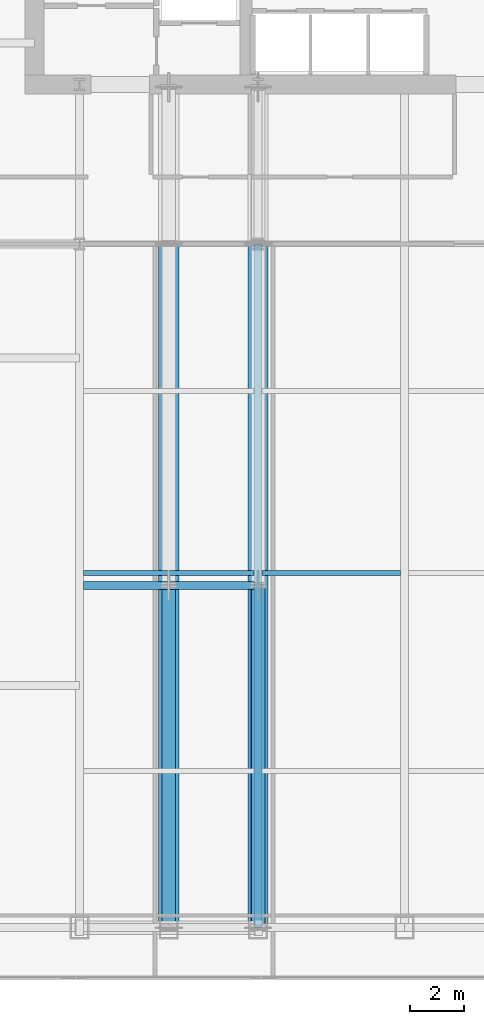
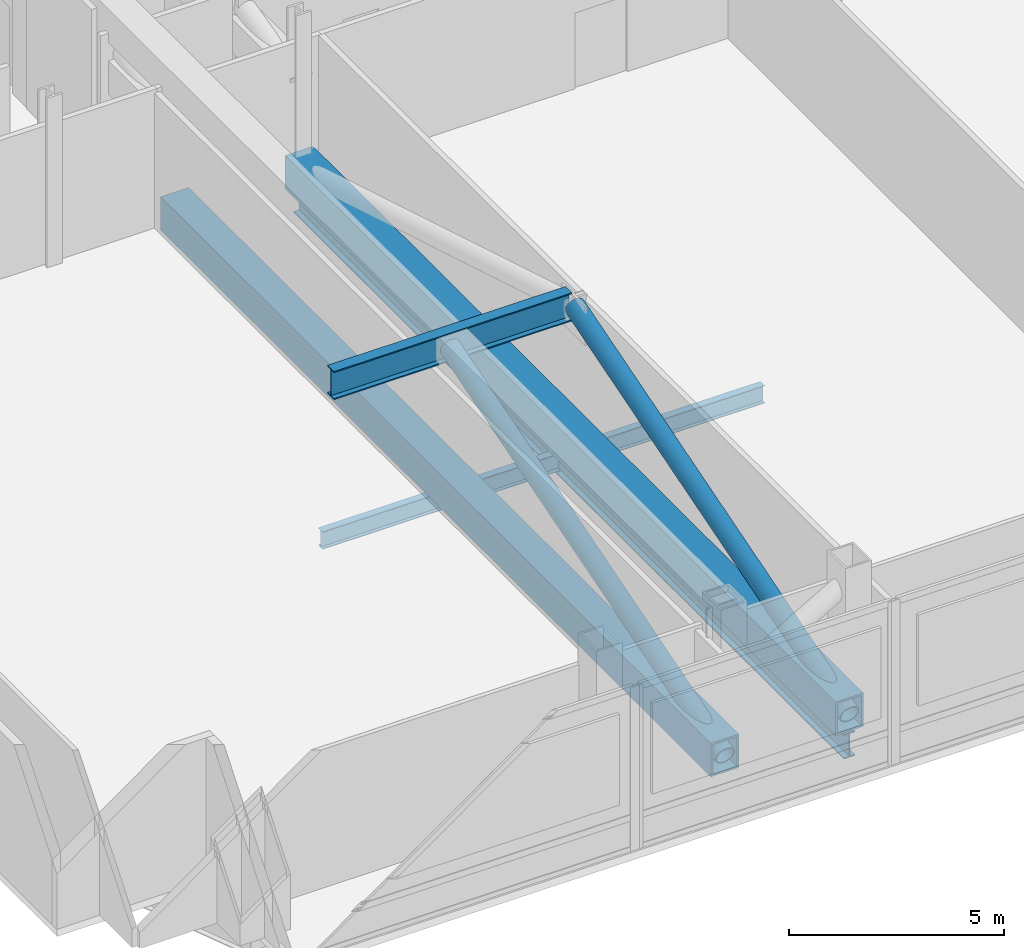
# One storey, part 9 of 30: 4 beams, 4 members.
"""IFC4 building model written with IfcOpenShell, lengths in metres."""

from ifc_helpers import new_model, si_unit, direction, frame, origin, origin_2d, place, context, subcontext, project, spatial, hollow_rectangle, hollow_circle, i_section, extrude, material, material_profile, profile_set, type_object, element, save


model = new_model("IFC4")

# Units and contexts
model_context = context("Model", 3, precision=1e-05, world=origin(), true_north=direction((0.0, 1.0)))
body_context = subcontext(model_context, "Body", "Model", "MODEL_VIEW")
ifc_project = project(units=[si_unit("LENGTHUNIT", "METRE"), si_unit("AREAUNIT", "SQUARE_METRE"), si_unit("VOLUMEUNIT", "CUBIC_METRE"), si_unit("PLANEANGLEUNIT", "RADIAN"), si_unit("MASSUNIT", "GRAM", prefix="KILO")], contexts=[model_context])

# Site, building, storey
site_placement = place(None, origin())
site = spatial("IfcSite", under=ifc_project, at=site_placement, CompositionType="ELEMENT")
building_placement = place(site_placement, origin())
building = spatial("IfcBuilding", under=site, at=building_placement, Name="Khoronbel Lancet Exchange", CompositionType="ELEMENT")
storey_placement = place(building_placement, frame((0.0, 0.0, 172.199951171875)))
storey = spatial("IfcBuildingStorey", under=building, at=storey_placement, Name="L43", CompositionType="ELEMENT", Elevation=172.199951171875)

# Beams
ifc_material_1 = material(Name="Steel S355", Category="steel")
ifc_material_profile_1 = material_profile(ifc_material_1, i_section(OverallWidth=0.300048828125, OverallDepth=0.800048828125, WebThickness=0.017578125, FlangeThickness=0.032958984375, at=origin_2d()), Name="HEB 800")
ifc_profile_set_1 = profile_set([ifc_material_profile_1], Name="Steel S355")
beam_type_1 = type_object("IfcBeamType", Name="BM-BG2", PredefinedType="BEAM", material=ifc_profile_set_1)
beam_1_placement = place(storey_placement, frame((18.375, 22.925048828125, 4.239990234375), z_axis=(1.0, 0.0, 0.0), x_axis=(0.0, 1.0, 0.0)))
element("IfcBeam", 1, at=beam_1_placement, inside=storey, type_object=beam_type_1, Name="Outrigger apex collector beam L43-W", PredefinedType="BEAM", context=body_context, shape_type="SweptSolid", body=[
    extrude(i_section(OverallWidth=0.300048828125, OverallDepth=0.800048828125, WebThickness=0.017578125, FlangeThickness=0.032958984375, at=origin_2d()), origin(), (0.0, 0.0, 1.0), 6.375),
])
ifc_material_profile_2 = material_profile(ifc_material_1, i_section(OverallWidth=0.300048828125, OverallDepth=0.699951171875, WebThickness=0.01708984375, FlangeThickness=0.031982421875, at=origin_2d()), Name="HEB 700")
ifc_profile_set_2 = profile_set([ifc_material_profile_2], Name="Steel S355")
beam_type_2 = type_object("IfcBeamType", Name="BM-BG3", PredefinedType="BEAM", material=ifc_profile_set_2)
beam_2_placement = place(storey_placement, frame((24.89990234375, 10.14990234375, -0.570068359375), z_axis=(0.0, 1.0, 0.0), x_axis=(-1.0, 0.0, 0.0)))
element("IfcBeam", 2, at=beam_2_placement, inside=storey, type_object=beam_type_2, Name="Level L43 south primary girder GS2", PredefinedType="BEAM", context=body_context, shape_type="SweptSolid", body=[
    extrude(i_section(OverallWidth=0.300048828125, OverallDepth=0.699951171875, WebThickness=0.01708984375, FlangeThickness=0.031982421875, at=origin_2d()), origin(), (0.0, 0.0, 1.0), 25.550048828125),
])
ifc_material_profile_3 = material_profile(ifc_material_1, i_section(OverallWidth=0.199951171875, OverallDepth=0.5, WebThickness=0.01025390625, FlangeThickness=0.01611328125, at=origin_2d()), Name="IPE 500")
ifc_profile_set_3 = profile_set([ifc_material_profile_3], Name="Steel S355")
beam_type_3 = type_object("IfcBeamType", Name="BM-BJ3", PredefinedType="JOIST", material=ifc_profile_set_3)
beam_3_placement = place(storey_placement, frame((18.375, 23.39990234375, -0.469970703125), z_axis=(1.0, 0.0, 0.0), x_axis=(0.0, 1.0, 0.0)))
element("IfcBeam", 3, at=beam_3_placement, inside=storey, type_object=beam_type_3, Name="Level L43 secondary composite joist J06", PredefinedType="JOIST", context=body_context, shape_type="SweptSolid", body=[
    extrude(i_section(OverallWidth=0.199951171875, OverallDepth=0.5, WebThickness=0.01025390625, FlangeThickness=0.01611328125, at=origin_2d()), origin(), (0.0, 0.0, 1.0), 6.375),
])
beam_4_placement = place(storey_placement, frame((25.050048828125, 23.39990234375, -0.469970703125), z_axis=(1.0, 0.0, 0.0), x_axis=(0.0, 1.0, 0.0)))
element("IfcBeam", 4, at=beam_4_placement, inside=storey, type_object=beam_type_3, Name="Level L43 secondary composite joist J07", PredefinedType="JOIST", context=body_context, shape_type="SweptSolid", body=[
    extrude(i_section(OverallWidth=0.199951171875, OverallDepth=0.5, WebThickness=0.01025390625, FlangeThickness=0.01611328125, at=origin_2d()), origin(), (0.0, 0.0, 1.0), 5.175048828125),
])

# Members
ifc_material_2 = material(Name="Steel S460", Category="steel")
ifc_material_profile_4 = material_profile(ifc_material_2, hollow_circle(Radius=0.25390625, WallThickness=0.02490234375, at=origin_2d()), Name="CHS 508x25")
ifc_profile_set_4 = profile_set([ifc_material_profile_4], Name="Steel S460")
member_type_1 = type_object("IfcMemberType", Name="MEM-OBR2", PredefinedType="BRACE", material=ifc_profile_set_4)
for number, where, z_axis, x_axis, name in (
    (5, (21.5625, 10.14990234375, 0.300048828125), (0.0, 0.957670496718, 0.287866670034), (-1.0, 0.0, 0.0), "Outrigger truss diagonal L43-1-1"),
    (6, (24.89990234375, 10.14990234375, 0.300048828125), (0.0, 0.957670496718, 0.287866670034), (-1.0, 0.0, 0.0), "Outrigger truss diagonal L43-2-1"),
):
    element("IfcMember", number, at=place(storey_placement, frame(where, z_axis=z_axis, x_axis=x_axis)), inside=storey, type_object=member_type_1, Name=name, PredefinedType="BRACE", context=body_context, shape_type="SweptSolid", body=[
        extrude(hollow_circle(Radius=0.25390625, WallThickness=0.02490234375, at=origin_2d()), origin(), (0.0, 0.0, 1.0), 13.33984375),
    ])
ifc_material_profile_5 = material_profile(ifc_material_2, hollow_rectangle(XDim=0.75, YDim=0.949951171875, WallThickness=0.054931640625, at=origin_2d()), Name="BOX 950x750x55")
ifc_profile_set_5 = profile_set([ifc_material_profile_5], Name="Steel S460")
member_type_2 = type_object("IfcMemberType", Name="MEM-OCH2", PredefinedType="CHORD", material=ifc_profile_set_5)
for number, where, z_axis, x_axis, name in (
    (7, (21.5625, 10.14990234375, 0.300048828125), (0.0, 1.0, 0.0), (-1.0, 0.0, 0.0), "Outrigger truss bottom chord L43-1-BOT"),
    (8, (24.89990234375, 10.14990234375, 0.300048828125), (0.0, 1.0, 0.0), (-1.0, 0.0, 0.0), "Outrigger truss bottom chord L43-2-BOT"),
):
    element("IfcMember", number, at=place(storey_placement, frame(where, z_axis=z_axis, x_axis=x_axis)), inside=storey, type_object=member_type_2, Name=name, PredefinedType="CHORD", context=body_context, shape_type="SweptSolid", body=[
        extrude(hollow_rectangle(XDim=0.75, YDim=0.949951171875, WallThickness=0.054931640625, at=origin_2d()), origin(), (0.0, 0.0, 1.0), 25.550048828125),
    ])

save(model, "model.ifc")
